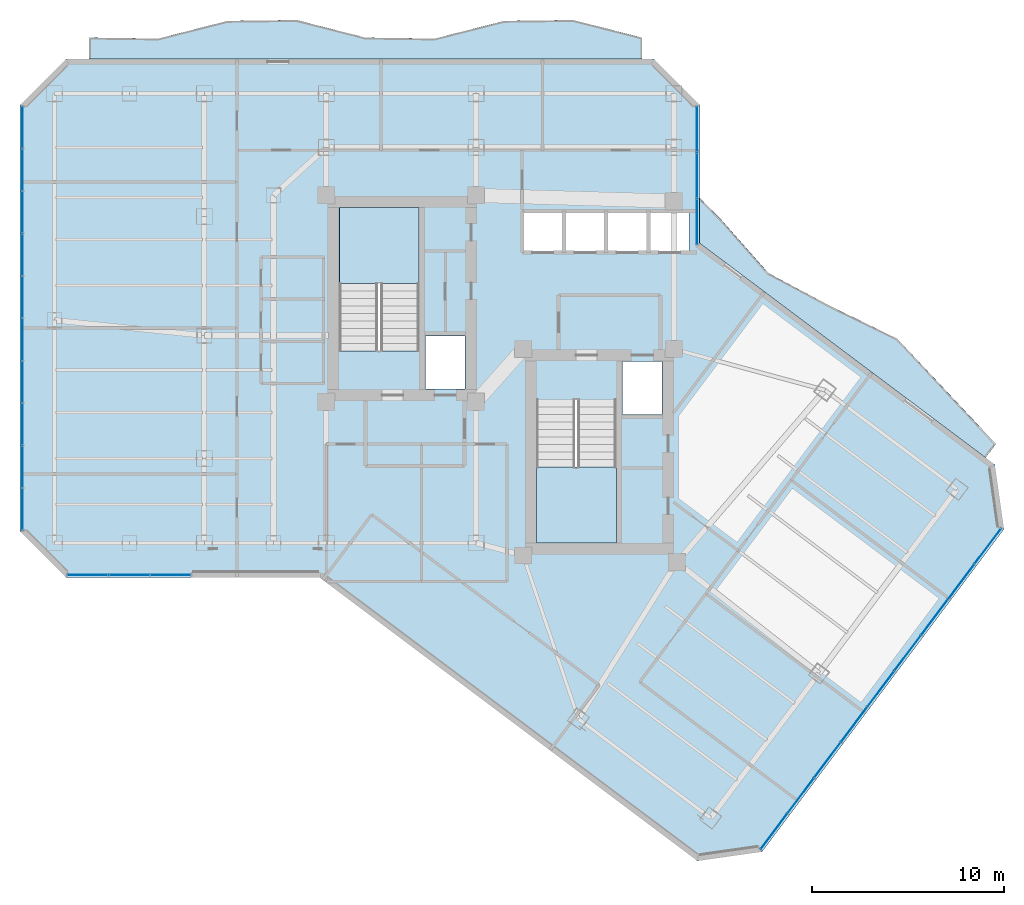
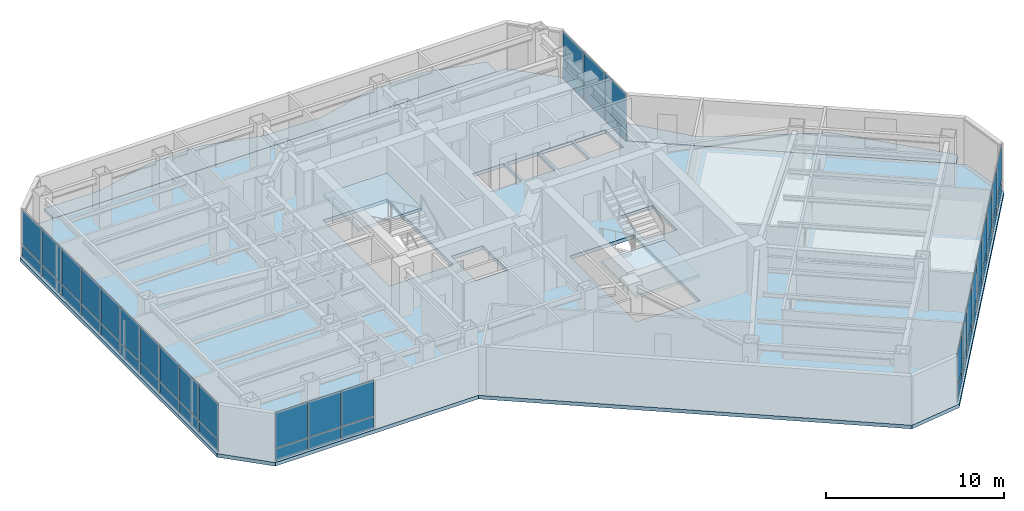
# One storey, part 20 of 27: 50 plates, 5 slabs, 6 elements without a shape of their own.
"""IFC4 building model written with IfcOpenShell, lengths in metres."""

from ifc_helpers import new_model, si_unit, direction, frame, origin, origin_2d, place, context, subcontext, project, spatial, polyline, rectangle, outline, extrude, material, layer, layer_set, type_object, element, aggregate, save


model = new_model("IFC4")

# Units and contexts
model_context = context("Model", 3, precision=1e-05, world=origin(), true_north=direction((0.0, 1.0)))
body_context = subcontext(model_context, "Body", "Model", "MODEL_VIEW")
ifc_project = project(units=[si_unit("LENGTHUNIT", "METRE"), si_unit("AREAUNIT", "SQUARE_METRE"), si_unit("VOLUMEUNIT", "CUBIC_METRE"), si_unit("PLANEANGLEUNIT", "RADIAN"), si_unit("MASSUNIT", "GRAM", prefix="KILO")], contexts=[model_context])

# Site, building, storey
site_placement = place(None, origin())
site = spatial("IfcSite", under=ifc_project, at=site_placement, CompositionType="ELEMENT")
building_placement = place(site_placement, origin())
building = spatial("IfcBuilding", under=site, at=building_placement, Name="Hatsunagi Terrace Concourse", CompositionType="ELEMENT")
storey_placement = place(building_placement, frame((0.0, 0.0, 142.050048828125)))
storey = spatial("IfcBuildingStorey", under=building, at=storey_placement, Name="L37", CompositionType="ELEMENT", Elevation=142.050048828125)

# Curtain wall, plates
ifc_material_1 = material(Name="Anodised Aluminium Alloy 6063-T5", Category="aluminium")
ifc_layer_1 = layer(ifc_material_1, 0.199951171875)
ifc_layer_set_1 = layer_set([ifc_layer_1], Name="OfficeZone1_CW03")
curtain_wall_type = type_object("IfcCurtainWallType", Name="OfficeZone1_CW03", PredefinedType="NOTDEFINED", material=ifc_layer_set_1)
curtain_wall_1_placement = place(storey_placement, origin())
curtain_wall_1 = element("IfcCurtainWall", 1, at=curtain_wall_1_placement, inside=storey, type_object=curtain_wall_type, Name="Unitised Curtain Wall CW-03 CW-L37-03", PredefinedType="NOTDEFINED")
ifc_material_2 = material(Name="Warm Terracotta Ceramic Spandrel Panel", Category="masonry")
ifc_layer_2 = layer(ifc_material_2, 0.031982421875)
ifc_layer_set_2 = layer_set([ifc_layer_2], Name="CurtainWallSpandrelPanel_32")
plate_type_1 = type_object("IfcPlateType", Name="CurtainWallSpandrelPanel_32", PredefinedType="SHEET", material=ifc_layer_set_2)
plate_1_placement = place(storey_placement, frame((59.9970703125, 25.030029296875, 0.030029296875), z_axis=(0.0, 0.0, 1.0), x_axis=(-0.599969314634, -0.800023013105, 0.0)))
plate_1 = element("IfcPlate", 2, at=plate_1_placement, type_object=plate_type_1, Name="Terracotta Spandrel Panel SPN-01", PredefinedType="SHEET", context=body_context, shape_type="SweptSolid", body=[
    extrude(rectangle(XDim=2.264892578125, YDim=0.031982421875, at=origin_2d()), origin(), (0.0, 0.0, 1.0), 0.7900390625),
])
plate_2_placement = place(storey_placement, frame((58.60498046875, 23.173095703125, 0.030029296875), z_axis=(0.0, 0.0, 1.0), x_axis=(-0.599969314634, -0.800023013105, 0.0)))
plate_2 = element("IfcPlate", 3, at=plate_2_placement, type_object=plate_type_1, Name="Terracotta Spandrel Panel SPN-01", PredefinedType="SHEET", context=body_context, shape_type="SweptSolid", body=[
    extrude(rectangle(XDim=2.264892578125, YDim=0.031982421875, at=origin_2d()), origin(), (0.0, 0.0, 1.0), 0.7900390625),
])
plate_3_placement = place(storey_placement, frame((57.2119140625, 21.31689453125, 0.030029296875), z_axis=(0.0, 0.0, 1.0), x_axis=(-0.599969314634, -0.800023013105, 0.0)))
plate_3 = element("IfcPlate", 4, at=plate_3_placement, type_object=plate_type_1, Name="Terracotta Spandrel Panel SPN-01", PredefinedType="SHEET", context=body_context, shape_type="SweptSolid", body=[
    extrude(rectangle(XDim=2.264892578125, YDim=0.031982421875, at=origin_2d()), origin(), (0.0, 0.0, 1.0), 0.7900390625),
])
plate_4_placement = place(storey_placement, frame((55.820068359375, 19.4599609375, 0.030029296875), z_axis=(0.0, 0.0, 1.0), x_axis=(-0.599969314634, -0.800023013105, 0.0)))
plate_4 = element("IfcPlate", 5, at=plate_4_placement, type_object=plate_type_1, Name="Terracotta Spandrel Panel SPN-01", PredefinedType="SHEET", context=body_context, shape_type="SweptSolid", body=[
    extrude(rectangle(XDim=2.264892578125, YDim=0.031982421875, at=origin_2d()), origin(), (0.0, 0.0, 1.0), 0.7900390625),
])
plate_5_placement = place(storey_placement, frame((54.427978515625, 17.60400390625, 0.030029296875), z_axis=(0.0, 0.0, 1.0), x_axis=(-0.599969314634, -0.800023013105, 0.0)))
plate_5 = element("IfcPlate", 6, at=plate_5_placement, type_object=plate_type_1, Name="Terracotta Spandrel Panel SPN-01", PredefinedType="SHEET", context=body_context, shape_type="SweptSolid", body=[
    extrude(rectangle(XDim=2.264892578125, YDim=0.031982421875, at=origin_2d()), origin(), (0.0, 0.0, 1.0), 0.7900390625),
])
plate_6_placement = place(storey_placement, frame((53.035888671875, 15.748046875, 0.030029296875), z_axis=(0.0, 0.0, 1.0), x_axis=(-0.599969314634, -0.800023013105, 0.0)))
plate_6 = element("IfcPlate", 7, at=plate_6_placement, type_object=plate_type_1, Name="Terracotta Spandrel Panel SPN-01", PredefinedType="SHEET", context=body_context, shape_type="SweptSolid", body=[
    extrude(rectangle(XDim=2.264892578125, YDim=0.031982421875, at=origin_2d()), origin(), (0.0, 0.0, 1.0), 0.7900390625),
])
plate_7_placement = place(storey_placement, frame((51.64404296875, 13.89111328125, 0.030029296875), z_axis=(0.0, 0.0, 1.0), x_axis=(-0.599969314634, -0.800023013105, 0.0)))
plate_7 = element("IfcPlate", 8, at=plate_7_placement, type_object=plate_type_1, Name="Terracotta Spandrel Panel SPN-01", PredefinedType="SHEET", context=body_context, shape_type="SweptSolid", body=[
    extrude(rectangle(XDim=2.264892578125, YDim=0.031982421875, at=origin_2d()), origin(), (0.0, 0.0, 1.0), 0.7900390625),
])
plate_8_placement = place(storey_placement, frame((50.2509765625, 12.034912109375, 0.030029296875), z_axis=(0.0, 0.0, 1.0), x_axis=(-0.599969314634, -0.800023013105, 0.0)))
plate_8 = element("IfcPlate", 9, at=plate_8_placement, type_object=plate_type_1, Name="Terracotta Spandrel Panel SPN-01", PredefinedType="SHEET", context=body_context, shape_type="SweptSolid", body=[
    extrude(rectangle(XDim=2.264892578125, YDim=0.031982421875, at=origin_2d()), origin(), (0.0, 0.0, 1.0), 0.7900390625),
])
plate_9_placement = place(storey_placement, frame((48.85888671875, 10.177978515625, 0.030029296875), z_axis=(0.0, 0.0, 1.0), x_axis=(-0.599969314634, -0.800023013105, 0.0)))
plate_9 = element("IfcPlate", 10, at=plate_9_placement, type_object=plate_type_1, Name="Terracotta Spandrel Panel SPN-01", PredefinedType="SHEET", context=body_context, shape_type="SweptSolid", body=[
    extrude(rectangle(XDim=2.264892578125, YDim=0.031982421875, at=origin_2d()), origin(), (0.0, 0.0, 1.0), 0.7900390625),
])

curtain_wall_2_placement = place(storey_placement, origin())
curtain_wall_2 = element("IfcCurtainWall", 11, at=curtain_wall_2_placement, inside=storey, type_object=curtain_wall_type, Name="Unitised Curtain Wall CW-03 CW-L37-07", PredefinedType="NOTDEFINED")
plate_10_placement = place(storey_placement, frame((17.426025390625, 23.5400390625, 0.030029296875), z_axis=(0.0, 0.0, 1.0), x_axis=(-1.0, 0.0, 0.0)))
plate_10 = element("IfcPlate", 12, at=plate_10_placement, type_object=plate_type_1, Name="Terracotta Spandrel Panel SPN-01", PredefinedType="SHEET", context=body_context, shape_type="SweptSolid", body=[
    extrude(rectangle(XDim=2.092041015625, YDim=0.031982421875, at=origin_2d()), origin(), (0.0, 0.0, 1.0), 0.7900390625),
])
plate_11_placement = place(storey_placement, frame((15.279052734375, 23.5400390625, 0.030029296875), z_axis=(0.0, 0.0, 1.0), x_axis=(-1.0, 0.0, 0.0)))
plate_11 = element("IfcPlate", 13, at=plate_11_placement, type_object=plate_type_1, Name="Terracotta Spandrel Panel SPN-01", PredefinedType="SHEET", context=body_context, shape_type="SweptSolid", body=[
    extrude(rectangle(XDim=2.092041015625, YDim=0.031982421875, at=origin_2d()), origin(), (0.0, 0.0, 1.0), 0.7900390625),
])
plate_12_placement = place(storey_placement, frame((13.132080078125, 23.5400390625, 0.030029296875), z_axis=(0.0, 0.0, 1.0), x_axis=(-1.0, 0.0, 0.0)))
plate_12 = element("IfcPlate", 14, at=plate_12_placement, type_object=plate_type_1, Name="Terracotta Spandrel Panel SPN-01", PredefinedType="SHEET", context=body_context, shape_type="SweptSolid", body=[
    extrude(rectangle(XDim=2.092041015625, YDim=0.031982421875, at=origin_2d()), origin(), (0.0, 0.0, 1.0), 0.7900390625),
])

curtain_wall_3_placement = place(storey_placement, origin())
curtain_wall_3 = element("IfcCurtainWall", 15, at=curtain_wall_3_placement, inside=storey, type_object=curtain_wall_type, Name="Unitised Curtain Wall CW-03 CW-L37-09", PredefinedType="NOTDEFINED")
plate_13_placement = place(storey_placement, frame((9.739990234375, 26.9619140625, 0.030029296875), z_axis=(0.0, 0.0, 1.0), x_axis=(0.0, 1.0, 0.0)))
plate_13 = element("IfcPlate", 16, at=plate_13_placement, type_object=plate_type_1, Name="Terracotta Spandrel Panel SPN-01", PredefinedType="SHEET", context=body_context, shape_type="SweptSolid", body=[
    extrude(rectangle(XDim=2.153076171875, YDim=0.031982421875, at=origin_2d()), origin(), (0.0, 0.0, 1.0), 0.7900390625),
])
plate_14_placement = place(storey_placement, frame((9.739990234375, 29.1708984375, 0.030029296875), z_axis=(0.0, 0.0, 1.0), x_axis=(0.0, 1.0, 0.0)))
plate_14 = element("IfcPlate", 17, at=plate_14_placement, type_object=plate_type_1, Name="Terracotta Spandrel Panel SPN-01", PredefinedType="SHEET", context=body_context, shape_type="SweptSolid", body=[
    extrude(rectangle(XDim=2.153076171875, YDim=0.031982421875, at=origin_2d()), origin(), (0.0, 0.0, 1.0), 0.7900390625),
])
plate_15_placement = place(storey_placement, frame((9.739990234375, 31.37890625, 0.030029296875), z_axis=(0.0, 0.0, 1.0), x_axis=(0.0, 1.0, 0.0)))
plate_15 = element("IfcPlate", 18, at=plate_15_placement, type_object=plate_type_1, Name="Terracotta Spandrel Panel SPN-01", PredefinedType="SHEET", context=body_context, shape_type="SweptSolid", body=[
    extrude(rectangle(XDim=2.153076171875, YDim=0.031982421875, at=origin_2d()), origin(), (0.0, 0.0, 1.0), 0.7900390625),
])
plate_16_placement = place(storey_placement, frame((9.739990234375, 33.5869140625, 0.030029296875), z_axis=(0.0, 0.0, 1.0), x_axis=(0.0, 1.0, 0.0)))
plate_16 = element("IfcPlate", 19, at=plate_16_placement, type_object=plate_type_1, Name="Terracotta Spandrel Panel SPN-01", PredefinedType="SHEET", context=body_context, shape_type="SweptSolid", body=[
    extrude(rectangle(XDim=2.153076171875, YDim=0.031982421875, at=origin_2d()), origin(), (0.0, 0.0, 1.0), 0.7900390625),
])
plate_17_placement = place(storey_placement, frame((9.739990234375, 35.7958984375, 0.030029296875), z_axis=(0.0, 0.0, 1.0), x_axis=(0.0, 1.0, 0.0)))
plate_17 = element("IfcPlate", 20, at=plate_17_placement, type_object=plate_type_1, Name="Terracotta Spandrel Panel SPN-01", PredefinedType="SHEET", context=body_context, shape_type="SweptSolid", body=[
    extrude(rectangle(XDim=2.153076171875, YDim=0.031982421875, at=origin_2d()), origin(), (0.0, 0.0, 1.0), 0.7900390625),
])
plate_18_placement = place(storey_placement, frame((9.739990234375, 38.00390625, 0.030029296875), z_axis=(0.0, 0.0, 1.0), x_axis=(0.0, 1.0, 0.0)))
plate_18 = element("IfcPlate", 21, at=plate_18_placement, type_object=plate_type_1, Name="Terracotta Spandrel Panel SPN-01", PredefinedType="SHEET", context=body_context, shape_type="SweptSolid", body=[
    extrude(rectangle(XDim=2.153076171875, YDim=0.031982421875, at=origin_2d()), origin(), (0.0, 0.0, 1.0), 0.7900390625),
])
plate_19_placement = place(storey_placement, frame((9.739990234375, 40.212890625, 0.030029296875), z_axis=(0.0, 0.0, 1.0), x_axis=(0.0, 1.0, 0.0)))
plate_19 = element("IfcPlate", 22, at=plate_19_placement, type_object=plate_type_1, Name="Terracotta Spandrel Panel SPN-01", PredefinedType="SHEET", context=body_context, shape_type="SweptSolid", body=[
    extrude(rectangle(XDim=2.153076171875, YDim=0.031982421875, at=origin_2d()), origin(), (0.0, 0.0, 1.0), 0.7900390625),
])
plate_20_placement = place(storey_placement, frame((9.739990234375, 42.4208984375, 0.030029296875), z_axis=(0.0, 0.0, 1.0), x_axis=(0.0, 1.0, 0.0)))
plate_20 = element("IfcPlate", 23, at=plate_20_placement, type_object=plate_type_1, Name="Terracotta Spandrel Panel SPN-01", PredefinedType="SHEET", context=body_context, shape_type="SweptSolid", body=[
    extrude(rectangle(XDim=2.153076171875, YDim=0.031982421875, at=origin_2d()), origin(), (0.0, 0.0, 1.0), 0.7900390625),
])
plate_21_placement = place(storey_placement, frame((9.739990234375, 44.62890625, 0.030029296875), z_axis=(0.0, 0.0, 1.0), x_axis=(0.0, 1.0, 0.0)))
plate_21 = element("IfcPlate", 24, at=plate_21_placement, type_object=plate_type_1, Name="Terracotta Spandrel Panel SPN-01", PredefinedType="SHEET", context=body_context, shape_type="SweptSolid", body=[
    extrude(rectangle(XDim=2.153076171875, YDim=0.031982421875, at=origin_2d()), origin(), (0.0, 0.0, 1.0), 0.7900390625),
])
plate_22_placement = place(storey_placement, frame((9.739990234375, 46.837890625, 0.030029296875), z_axis=(0.0, 0.0, 1.0), x_axis=(0.0, 1.0, 0.0)))
plate_22 = element("IfcPlate", 25, at=plate_22_placement, type_object=plate_type_1, Name="Terracotta Spandrel Panel SPN-01", PredefinedType="SHEET", context=body_context, shape_type="SweptSolid", body=[
    extrude(rectangle(XDim=2.153076171875, YDim=0.031982421875, at=origin_2d()), origin(), (0.0, 0.0, 1.0), 0.7900390625),
])

curtain_wall_4_placement = place(storey_placement, origin())
curtain_wall_4 = element("IfcCurtainWall", 26, at=curtain_wall_4_placement, inside=storey, type_object=curtain_wall_type, Name="Unitised Curtain Wall CW-03 CW-L37-13", PredefinedType="NOTDEFINED")
plate_23_placement = place(storey_placement, frame((44.860107421875, 46.739990234375, 0.030029296875), z_axis=(0.0, 0.0, 1.0), x_axis=(0.0, -1.0, 0.0)))
plate_23 = element("IfcPlate", 27, at=plate_23_placement, type_object=plate_type_1, Name="Terracotta Spandrel Panel SPN-01", PredefinedType="SHEET", context=body_context, shape_type="SweptSolid", body=[
    extrude(rectangle(XDim=2.34912109375, YDim=0.031982421875, at=origin_2d()), origin(), (0.0, 0.0, 1.0), 0.7900390625),
])
plate_24_placement = place(storey_placement, frame((44.860107421875, 44.3359375, 0.030029296875), z_axis=(0.0, 0.0, 1.0), x_axis=(0.0, -1.0, 0.0)))
plate_24 = element("IfcPlate", 28, at=plate_24_placement, type_object=plate_type_1, Name="Terracotta Spandrel Panel SPN-01", PredefinedType="SHEET", context=body_context, shape_type="SweptSolid", body=[
    extrude(rectangle(XDim=2.34912109375, YDim=0.031982421875, at=origin_2d()), origin(), (0.0, 0.0, 1.0), 0.7900390625),
])
plate_25_placement = place(storey_placement, frame((44.860107421875, 41.931884765625, 0.030029296875), z_axis=(0.0, 0.0, 1.0), x_axis=(0.0, -1.0, 0.0)))
plate_25 = element("IfcPlate", 29, at=plate_25_placement, type_object=plate_type_1, Name="Terracotta Spandrel Panel SPN-01", PredefinedType="SHEET", context=body_context, shape_type="SweptSolid", body=[
    extrude(rectangle(XDim=2.34912109375, YDim=0.031982421875, at=origin_2d()), origin(), (0.0, 0.0, 1.0), 0.7900390625),
])

# Plate
ifc_material_3 = material(Name="Low-E Double Insulating Glass 28mm", Category="glass")
ifc_layer_3 = layer(ifc_material_3, 0.028076171875)
ifc_layer_set_3 = layer_set([ifc_layer_3], Name="CurtainWallVisionGlass_28")
plate_type_2 = type_object("IfcPlateType", Name="CurtainWallVisionGlass_28", PredefinedType="CURTAIN_PANEL", material=ifc_layer_set_3)
plate_26_placement = place(storey_placement, frame((59.9970703125, 25.030029296875, 0.8798828125), z_axis=(0.0, 0.0, 1.0), x_axis=(-0.599969314634, -0.800023013105, 0.0)))
plate_26 = element("IfcPlate", 30, at=plate_26_placement, type_object=plate_type_2, Name="Low-E Vision Glass Panel GLZ-01", PredefinedType="CURTAIN_PANEL", context=body_context, shape_type="SweptSolid", body=[
    extrude(rectangle(XDim=2.264892578125, YDim=0.028076171875, at=origin_2d()), origin(), (0.0, 0.0, 1.0), 2.43994140625),
])

plate_27_placement = place(storey_placement, frame((58.60498046875, 23.173095703125, 0.8798828125), z_axis=(0.0, 0.0, 1.0), x_axis=(-0.599969314634, -0.800023013105, 0.0)))
plate_27 = element("IfcPlate", 31, at=plate_27_placement, type_object=plate_type_2, Name="Low-E Vision Glass Panel GLZ-01", PredefinedType="CURTAIN_PANEL", context=body_context, shape_type="SweptSolid", body=[
    extrude(rectangle(XDim=2.264892578125, YDim=0.028076171875, at=origin_2d()), origin(), (0.0, 0.0, 1.0), 2.43994140625),
])

plate_28_placement = place(storey_placement, frame((57.2119140625, 21.31689453125, 0.8798828125), z_axis=(0.0, 0.0, 1.0), x_axis=(-0.599969314634, -0.800023013105, 0.0)))
plate_28 = element("IfcPlate", 32, at=plate_28_placement, type_object=plate_type_2, Name="Low-E Vision Glass Panel GLZ-01", PredefinedType="CURTAIN_PANEL", context=body_context, shape_type="SweptSolid", body=[
    extrude(rectangle(XDim=2.264892578125, YDim=0.028076171875, at=origin_2d()), origin(), (0.0, 0.0, 1.0), 2.43994140625),
])

plate_29_placement = place(storey_placement, frame((55.820068359375, 19.4599609375, 0.8798828125), z_axis=(0.0, 0.0, 1.0), x_axis=(-0.599969314634, -0.800023013105, 0.0)))
plate_29 = element("IfcPlate", 33, at=plate_29_placement, type_object=plate_type_2, Name="Low-E Vision Glass Panel GLZ-01", PredefinedType="CURTAIN_PANEL", context=body_context, shape_type="SweptSolid", body=[
    extrude(rectangle(XDim=2.264892578125, YDim=0.028076171875, at=origin_2d()), origin(), (0.0, 0.0, 1.0), 2.43994140625),
])

plate_30_placement = place(storey_placement, frame((54.427978515625, 17.60400390625, 0.8798828125), z_axis=(0.0, 0.0, 1.0), x_axis=(-0.599969314634, -0.800023013105, 0.0)))
plate_30 = element("IfcPlate", 34, at=plate_30_placement, type_object=plate_type_2, Name="Low-E Vision Glass Panel GLZ-01", PredefinedType="CURTAIN_PANEL", context=body_context, shape_type="SweptSolid", body=[
    extrude(rectangle(XDim=2.264892578125, YDim=0.028076171875, at=origin_2d()), origin(), (0.0, 0.0, 1.0), 2.43994140625),
])

plate_31_placement = place(storey_placement, frame((53.035888671875, 15.748046875, 0.8798828125), z_axis=(0.0, 0.0, 1.0), x_axis=(-0.599969314634, -0.800023013105, 0.0)))
plate_31 = element("IfcPlate", 35, at=plate_31_placement, type_object=plate_type_2, Name="Low-E Vision Glass Panel GLZ-01", PredefinedType="CURTAIN_PANEL", context=body_context, shape_type="SweptSolid", body=[
    extrude(rectangle(XDim=2.264892578125, YDim=0.028076171875, at=origin_2d()), origin(), (0.0, 0.0, 1.0), 2.43994140625),
])

plate_32_placement = place(storey_placement, frame((51.64404296875, 13.89111328125, 0.8798828125), z_axis=(0.0, 0.0, 1.0), x_axis=(-0.599969314634, -0.800023013105, 0.0)))
plate_32 = element("IfcPlate", 36, at=plate_32_placement, type_object=plate_type_2, Name="Low-E Vision Glass Panel GLZ-01", PredefinedType="CURTAIN_PANEL", context=body_context, shape_type="SweptSolid", body=[
    extrude(rectangle(XDim=2.264892578125, YDim=0.028076171875, at=origin_2d()), origin(), (0.0, 0.0, 1.0), 2.43994140625),
])

plate_33_placement = place(storey_placement, frame((50.2509765625, 12.034912109375, 0.8798828125), z_axis=(0.0, 0.0, 1.0), x_axis=(-0.599969314634, -0.800023013105, 0.0)))
plate_33 = element("IfcPlate", 37, at=plate_33_placement, type_object=plate_type_2, Name="Low-E Vision Glass Panel GLZ-01", PredefinedType="CURTAIN_PANEL", context=body_context, shape_type="SweptSolid", body=[
    extrude(rectangle(XDim=2.264892578125, YDim=0.028076171875, at=origin_2d()), origin(), (0.0, 0.0, 1.0), 2.43994140625),
])

plate_34_placement = place(storey_placement, frame((48.85888671875, 10.177978515625, 0.8798828125), z_axis=(0.0, 0.0, 1.0), x_axis=(-0.599969314634, -0.800023013105, 0.0)))
plate_34 = element("IfcPlate", 38, at=plate_34_placement, type_object=plate_type_2, Name="Low-E Vision Glass Panel GLZ-01", PredefinedType="CURTAIN_PANEL", context=body_context, shape_type="SweptSolid", body=[
    extrude(rectangle(XDim=2.264892578125, YDim=0.028076171875, at=origin_2d()), origin(), (0.0, 0.0, 1.0), 2.43994140625),
])

aggregate(curtain_wall_1, [plate_1, plate_26, plate_2, plate_27, plate_3, plate_28, plate_4, plate_29, plate_5, plate_30, plate_6, plate_31, plate_7, plate_32, plate_8, plate_33, plate_9, plate_34])

plate_35_placement = place(storey_placement, frame((17.426025390625, 23.5400390625, 0.8798828125), z_axis=(0.0, 0.0, 1.0), x_axis=(-1.0, 0.0, 0.0)))
plate_35 = element("IfcPlate", 39, at=plate_35_placement, type_object=plate_type_2, Name="Low-E Vision Glass Panel GLZ-01", PredefinedType="CURTAIN_PANEL", context=body_context, shape_type="SweptSolid", body=[
    extrude(rectangle(XDim=2.092041015625, YDim=0.028076171875, at=origin_2d()), origin(), (0.0, 0.0, 1.0), 2.43994140625),
])

plate_36_placement = place(storey_placement, frame((15.279052734375, 23.5400390625, 0.8798828125), z_axis=(0.0, 0.0, 1.0), x_axis=(-1.0, 0.0, 0.0)))
plate_36 = element("IfcPlate", 40, at=plate_36_placement, type_object=plate_type_2, Name="Low-E Vision Glass Panel GLZ-01", PredefinedType="CURTAIN_PANEL", context=body_context, shape_type="SweptSolid", body=[
    extrude(rectangle(XDim=2.092041015625, YDim=0.028076171875, at=origin_2d()), origin(), (0.0, 0.0, 1.0), 2.43994140625),
])

plate_37_placement = place(storey_placement, frame((13.132080078125, 23.5400390625, 0.8798828125), z_axis=(0.0, 0.0, 1.0), x_axis=(-1.0, 0.0, 0.0)))
plate_37 = element("IfcPlate", 41, at=plate_37_placement, type_object=plate_type_2, Name="Low-E Vision Glass Panel GLZ-01", PredefinedType="CURTAIN_PANEL", context=body_context, shape_type="SweptSolid", body=[
    extrude(rectangle(XDim=2.092041015625, YDim=0.028076171875, at=origin_2d()), origin(), (0.0, 0.0, 1.0), 2.43994140625),
])

aggregate(curtain_wall_2, [plate_10, plate_35, plate_11, plate_36, plate_12, plate_37])

plate_38_placement = place(storey_placement, frame((9.739990234375, 26.9619140625, 0.8798828125), z_axis=(0.0, 0.0, 1.0), x_axis=(0.0, 1.0, 0.0)))
plate_38 = element("IfcPlate", 42, at=plate_38_placement, type_object=plate_type_2, Name="Low-E Vision Glass Panel GLZ-01", PredefinedType="CURTAIN_PANEL", context=body_context, shape_type="SweptSolid", body=[
    extrude(rectangle(XDim=2.153076171875, YDim=0.028076171875, at=origin_2d()), origin(), (0.0, 0.0, 1.0), 2.43994140625),
])

plate_39_placement = place(storey_placement, frame((9.739990234375, 29.1708984375, 0.8798828125), z_axis=(0.0, 0.0, 1.0), x_axis=(0.0, 1.0, 0.0)))
plate_39 = element("IfcPlate", 43, at=plate_39_placement, type_object=plate_type_2, Name="Low-E Vision Glass Panel GLZ-01", PredefinedType="CURTAIN_PANEL", context=body_context, shape_type="SweptSolid", body=[
    extrude(rectangle(XDim=2.153076171875, YDim=0.028076171875, at=origin_2d()), origin(), (0.0, 0.0, 1.0), 2.43994140625),
])

plate_40_placement = place(storey_placement, frame((9.739990234375, 31.37890625, 0.8798828125), z_axis=(0.0, 0.0, 1.0), x_axis=(0.0, 1.0, 0.0)))
plate_40 = element("IfcPlate", 44, at=plate_40_placement, type_object=plate_type_2, Name="Low-E Vision Glass Panel GLZ-01", PredefinedType="CURTAIN_PANEL", context=body_context, shape_type="SweptSolid", body=[
    extrude(rectangle(XDim=2.153076171875, YDim=0.028076171875, at=origin_2d()), origin(), (0.0, 0.0, 1.0), 2.43994140625),
])

plate_41_placement = place(storey_placement, frame((9.739990234375, 33.5869140625, 0.8798828125), z_axis=(0.0, 0.0, 1.0), x_axis=(0.0, 1.0, 0.0)))
plate_41 = element("IfcPlate", 45, at=plate_41_placement, type_object=plate_type_2, Name="Low-E Vision Glass Panel GLZ-01", PredefinedType="CURTAIN_PANEL", context=body_context, shape_type="SweptSolid", body=[
    extrude(rectangle(XDim=2.153076171875, YDim=0.028076171875, at=origin_2d()), origin(), (0.0, 0.0, 1.0), 2.43994140625),
])

plate_42_placement = place(storey_placement, frame((9.739990234375, 35.7958984375, 0.8798828125), z_axis=(0.0, 0.0, 1.0), x_axis=(0.0, 1.0, 0.0)))
plate_42 = element("IfcPlate", 46, at=plate_42_placement, type_object=plate_type_2, Name="Low-E Vision Glass Panel GLZ-01", PredefinedType="CURTAIN_PANEL", context=body_context, shape_type="SweptSolid", body=[
    extrude(rectangle(XDim=2.153076171875, YDim=0.028076171875, at=origin_2d()), origin(), (0.0, 0.0, 1.0), 2.43994140625),
])

plate_43_placement = place(storey_placement, frame((9.739990234375, 38.00390625, 0.8798828125), z_axis=(0.0, 0.0, 1.0), x_axis=(0.0, 1.0, 0.0)))
plate_43 = element("IfcPlate", 47, at=plate_43_placement, type_object=plate_type_2, Name="Low-E Vision Glass Panel GLZ-01", PredefinedType="CURTAIN_PANEL", context=body_context, shape_type="SweptSolid", body=[
    extrude(rectangle(XDim=2.153076171875, YDim=0.028076171875, at=origin_2d()), origin(), (0.0, 0.0, 1.0), 2.43994140625),
])

plate_44_placement = place(storey_placement, frame((9.739990234375, 40.212890625, 0.8798828125), z_axis=(0.0, 0.0, 1.0), x_axis=(0.0, 1.0, 0.0)))
plate_44 = element("IfcPlate", 48, at=plate_44_placement, type_object=plate_type_2, Name="Low-E Vision Glass Panel GLZ-01", PredefinedType="CURTAIN_PANEL", context=body_context, shape_type="SweptSolid", body=[
    extrude(rectangle(XDim=2.153076171875, YDim=0.028076171875, at=origin_2d()), origin(), (0.0, 0.0, 1.0), 2.43994140625),
])

plate_45_placement = place(storey_placement, frame((9.739990234375, 42.4208984375, 0.8798828125), z_axis=(0.0, 0.0, 1.0), x_axis=(0.0, 1.0, 0.0)))
plate_45 = element("IfcPlate", 49, at=plate_45_placement, type_object=plate_type_2, Name="Low-E Vision Glass Panel GLZ-01", PredefinedType="CURTAIN_PANEL", context=body_context, shape_type="SweptSolid", body=[
    extrude(rectangle(XDim=2.153076171875, YDim=0.028076171875, at=origin_2d()), origin(), (0.0, 0.0, 1.0), 2.43994140625),
])

plate_46_placement = place(storey_placement, frame((9.739990234375, 44.62890625, 0.8798828125), z_axis=(0.0, 0.0, 1.0), x_axis=(0.0, 1.0, 0.0)))
plate_46 = element("IfcPlate", 50, at=plate_46_placement, type_object=plate_type_2, Name="Low-E Vision Glass Panel GLZ-01", PredefinedType="CURTAIN_PANEL", context=body_context, shape_type="SweptSolid", body=[
    extrude(rectangle(XDim=2.153076171875, YDim=0.028076171875, at=origin_2d()), origin(), (0.0, 0.0, 1.0), 2.43994140625),
])

plate_47_placement = place(storey_placement, frame((9.739990234375, 46.837890625, 0.8798828125), z_axis=(0.0, 0.0, 1.0), x_axis=(0.0, 1.0, 0.0)))
plate_47 = element("IfcPlate", 51, at=plate_47_placement, type_object=plate_type_2, Name="Low-E Vision Glass Panel GLZ-01", PredefinedType="CURTAIN_PANEL", context=body_context, shape_type="SweptSolid", body=[
    extrude(rectangle(XDim=2.153076171875, YDim=0.028076171875, at=origin_2d()), origin(), (0.0, 0.0, 1.0), 2.43994140625),
])

aggregate(curtain_wall_3, [plate_13, plate_38, plate_14, plate_39, plate_15, plate_40, plate_16, plate_41, plate_17, plate_42, plate_18, plate_43, plate_19, plate_44, plate_20, plate_45, plate_21, plate_46, plate_22, plate_47])

plate_48_placement = place(storey_placement, frame((44.860107421875, 46.739990234375, 0.8798828125), z_axis=(0.0, 0.0, 1.0), x_axis=(0.0, -1.0, 0.0)))
plate_48 = element("IfcPlate", 52, at=plate_48_placement, type_object=plate_type_2, Name="Low-E Vision Glass Panel GLZ-01", PredefinedType="CURTAIN_PANEL", context=body_context, shape_type="SweptSolid", body=[
    extrude(rectangle(XDim=2.34912109375, YDim=0.028076171875, at=origin_2d()), origin(), (0.0, 0.0, 1.0), 2.43994140625),
])

plate_49_placement = place(storey_placement, frame((44.860107421875, 44.3359375, 0.8798828125), z_axis=(0.0, 0.0, 1.0), x_axis=(0.0, -1.0, 0.0)))
plate_49 = element("IfcPlate", 53, at=plate_49_placement, type_object=plate_type_2, Name="Low-E Vision Glass Panel GLZ-01", PredefinedType="CURTAIN_PANEL", context=body_context, shape_type="SweptSolid", body=[
    extrude(rectangle(XDim=2.34912109375, YDim=0.028076171875, at=origin_2d()), origin(), (0.0, 0.0, 1.0), 2.43994140625),
])

plate_50_placement = place(storey_placement, frame((44.860107421875, 41.931884765625, 0.8798828125), z_axis=(0.0, 0.0, 1.0), x_axis=(0.0, -1.0, 0.0)))
plate_50 = element("IfcPlate", 54, at=plate_50_placement, type_object=plate_type_2, Name="Low-E Vision Glass Panel GLZ-01", PredefinedType="CURTAIN_PANEL", context=body_context, shape_type="SweptSolid", body=[
    extrude(rectangle(XDim=2.34912109375, YDim=0.028076171875, at=origin_2d()), origin(), (0.0, 0.0, 1.0), 2.43994140625),
])

aggregate(curtain_wall_4, [plate_23, plate_48, plate_24, plate_49, plate_25, plate_50])

# Stair, slab
ifc_material_4 = material(Name="Concrete Fc42", Category="concrete")
stair_type = type_object("IfcStairType", Name="DoglegExitStair_Tower2000_20R_180", PredefinedType="HALF_TURN_STAIR", material=ifc_material_4)
stair_1_placement = place(storey_placement, origin())
stair_1 = element("IfcStair", 55, at=stair_1_placement, inside=storey, type_object=stair_type, Name="L37 Core A Protected Exit Stair ST-A", PredefinedType="HALF_TURN_STAIR")
ifc_material_5 = material(Name="Concrete Fc42", Category="concrete")
ifc_layer_4 = layer(ifc_material_5, 0.199951171875)
ifc_layer_set_4 = layer_set([ifc_layer_4], Name="DoglegStairLanding_Tower2000")
slab_type_1 = type_object("IfcSlabType", Name="DoglegStairLanding_Tower2000", PredefinedType="LANDING", material=ifc_layer_set_4)
slab_1_placement = place(storey_placement, frame((0.0, 0.0, 1.599853515625)))
slab_1 = element("IfcSlab", 56, at=slab_1_placement, type_object=slab_type_1, Name="ST-A landing 1", PredefinedType="LANDING", context=body_context, shape_type="SweptSolid", body=[
    extrude(outline(polyline([(30.3798828125, 38.7099609375), (30.3798828125, 42.659912109375), (26.22998046875, 42.659912109375), (26.22998046875, 38.7099609375), (30.3798828125, 38.7099609375)])), origin(), (0.0, 0.0, 1.0), 0.2001953125),
])
aggregate(stair_1, [slab_1])

stair_2_placement = place(storey_placement, origin())
stair_2 = element("IfcStair", 57, at=stair_2_placement, inside=storey, type_object=stair_type, Name="L37 Core B Protected Exit Stair ST-B", PredefinedType="HALF_TURN_STAIR")
slab_2_placement = place(storey_placement, frame((0.0, 0.0, 1.599853515625)))
slab_2 = element("IfcSlab", 58, at=slab_2_placement, type_object=slab_type_1, Name="ST-B landing 1", PredefinedType="LANDING", context=body_context, shape_type="SweptSolid", body=[
    extrude(outline(polyline([(36.5, 29.14990234375), (36.5, 25.199951171875), (40.64990234375, 25.199951171875), (40.64990234375, 29.14990234375), (36.5, 29.14990234375)])), origin(), (0.0, 0.0, 1.0), 0.2001953125),
])
aggregate(stair_2, [slab_2])

# Slabs
ifc_material_6 = material(Name="Concrete Fc42", Category="concrete")
ifc_layer_5 = layer(ifc_material_6, 0.199951171875)
ifc_layer_set_5 = layer_set([ifc_layer_5], Name="EngawaBalconySlab_Fc42_200")
slab_type_2 = type_object("IfcSlabType", Name="EngawaBalconySlab_Fc42_200", PredefinedType="FLOOR", material=ifc_layer_set_5)
slab_3_placement = place(storey_placement, frame((0.0, 0.0, -0.199951171875)))
element("IfcSlab", 59, at=slab_3_placement, inside=storey, type_object=slab_type_2, Name="Engawa Balcony Slab BAL-L37-BN", PredefinedType="FLOOR", context=body_context, shape_type="SweptSolid", body=[
    extrude(outline(polyline([(13.199951171875, 51.514892578125), (13.199951171875, 50.39990234375), (42.0, 50.39990234375), (42.0, 51.514892578125), (38.39990234375, 52.43310546875), (34.800048828125, 52.385009765625), (31.199951171875, 51.467041015625), (27.60009765625, 51.514892578125), (24.0, 52.43310546875), (20.39990234375, 52.385009765625), (16.800048828125, 51.467041015625), (13.199951171875, 51.514892578125)])), origin(), (0.0, 0.0, 1.0), 0.199951171875),
])
slab_4_placement = place(storey_placement, frame((0.0, 0.0, -0.199951171875)))
element("IfcSlab", 60, at=slab_4_placement, inside=storey, type_object=slab_type_2, Name="Engawa Balcony Slab BAL-L37-BSE", PredefinedType="FLOOR", context=body_context, shape_type="SweptSolid", body=[
    extrude(outline(polyline([(46.0810546875, 42.074951171875), (44.99609375, 43.152099609375), (44.99609375, 40.802978515625), (59.8798828125, 29.639892578125), (60.419921875, 30.360107421875), (55.279052734375, 35.839111328125), (51.89306640625, 37.489990234375), (48.583984375, 39.2451171875), (46.0810546875, 42.074951171875)])), origin(), (0.0, 0.0, 1.0), 0.199951171875),
])
ifc_material_7 = material(Name="Concrete Fc42", Category="concrete")
ifc_layer_6 = layer(ifc_material_7, 0.25)
ifc_layer_set_6 = layer_set([ifc_layer_6], Name="OfficeCrownSlab_Fc42_250")
slab_type_3 = type_object("IfcSlabType", Name="OfficeCrownSlab_Fc42_250", PredefinedType="FLOOR", material=ifc_layer_set_6)
slab_5_placement = place(storey_placement, frame((0.0, 0.0, -0.25)))
element("IfcSlab", 61, at=slab_5_placement, inside=storey, type_object=slab_type_3, Name="Floor Slab SL-250 L37", PredefinedType="FLOOR", context=body_context, shape_type="SweptSolid", body=[
    extrude(outline(polyline([(45.0, 40.800048828125), (45.0, 48.0), (42.60009765625, 50.39990234375), (12.0, 50.39990234375), (9.60009765625, 48.0), (9.60009765625, 25.800048828125), (12.0, 23.39990234375), (25.199951171875, 23.39990234375), (44.8798828125, 8.639892578125), (48.239990234375, 9.1201171875), (60.840087890625, 25.919921875), (60.360107421875, 29.280029296875), (45.0, 40.800048828125)]), holes=[polyline([(26.22998046875, 35.205078125), (30.3798828125, 35.205078125), (30.3798828125, 42.659912109375), (26.22998046875, 42.659912109375), (26.22998046875, 35.205078125)]), polyline([(36.5, 25.199951171875), (40.64990234375, 25.199951171875), (40.64990234375, 32.655029296875), (36.5, 32.655029296875), (36.5, 25.199951171875)]), polyline([(30.719970703125, 33.219970703125), (32.780029296875, 33.219970703125), (32.780029296875, 35.97998046875), (30.719970703125, 35.97998046875), (30.719970703125, 33.219970703125)]), polyline([(40.97998046875, 31.8798828125), (43.02001953125, 31.8798828125), (43.02001953125, 34.639892578125), (40.97998046875, 34.639892578125), (40.97998046875, 31.8798828125)]), polyline([(35.800048828125, 40.39990234375), (37.85009765625, 40.39990234375), (37.85009765625, 42.39990234375), (35.800048828125, 42.39990234375), (35.800048828125, 40.39990234375)]), polyline([(38.0, 40.39990234375), (40.050048828125, 40.39990234375), (40.050048828125, 42.39990234375), (38.0, 42.39990234375), (38.0, 40.39990234375)]), polyline([(40.199951171875, 40.39990234375), (42.25, 40.39990234375), (42.25, 42.39990234375), (40.199951171875, 42.39990234375), (40.199951171875, 40.39990234375)]), polyline([(42.39990234375, 40.39990234375), (44.449951171875, 40.39990234375), (44.449951171875, 42.39990234375), (42.39990234375, 42.39990234375), (42.39990234375, 40.39990234375)])]), origin(), (0.0, 0.0, 1.0), 0.25),
])

save(model, "model.ifc")
